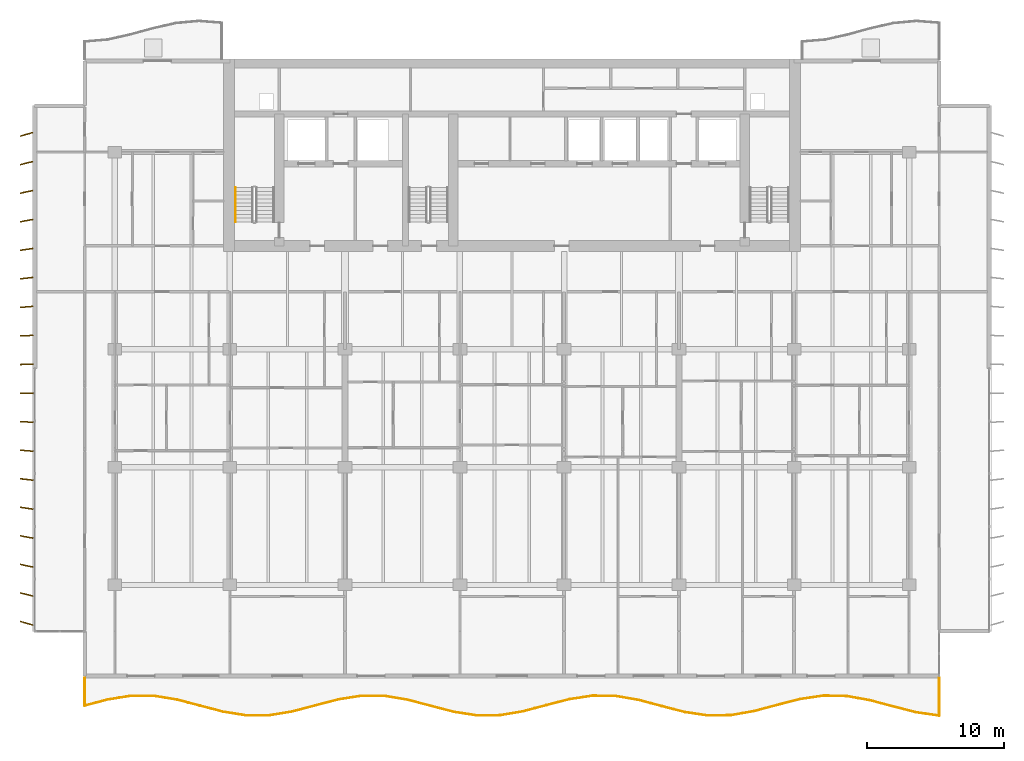
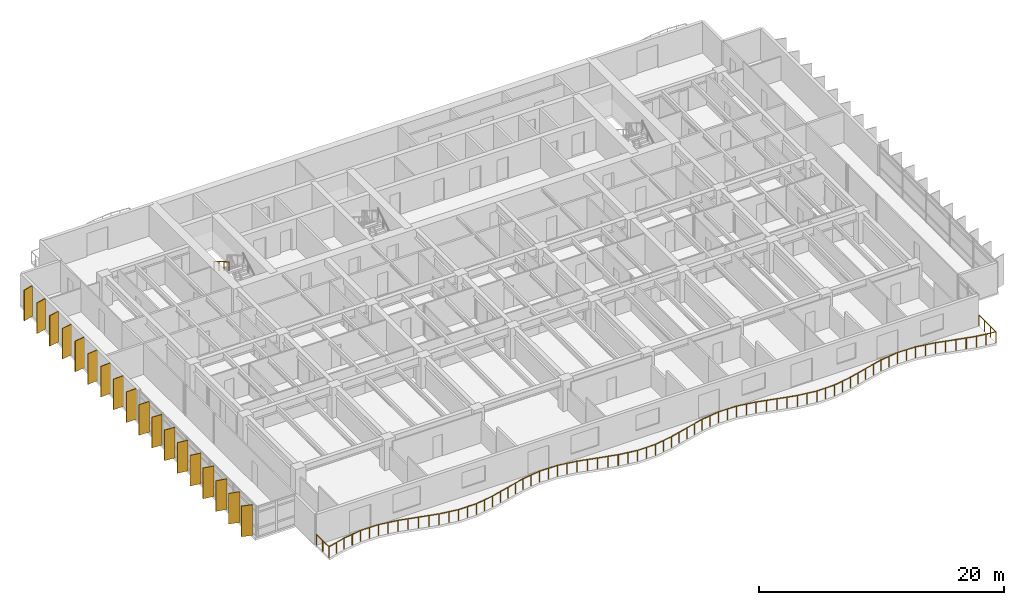
# One storey, part 17 of 20: 18 shading devices, 2 railings.
"""IFC4 building model written with IfcOpenShell, lengths in metres."""

from ifc_helpers import new_model, si_unit, direction, frame, origin, origin_2d, place, context, subcontext, project, spatial, rectangle, circle, extrude, material, material_profile, profile_set, type_object, element, save


model = new_model("IFC4")

# Units and contexts
model_context = context("Model", 3, precision=1e-05, world=origin(), true_north=direction((0.0, 1.0)))
body_context = subcontext(model_context, "Body", "Model", "MODEL_VIEW")
ifc_project = project(units=[si_unit("LENGTHUNIT", "METRE"), si_unit("AREAUNIT", "SQUARE_METRE"), si_unit("VOLUMEUNIT", "CUBIC_METRE"), si_unit("PLANEANGLEUNIT", "RADIAN"), si_unit("MASSUNIT", "GRAM", prefix="KILO")], contexts=[model_context])

# Site, building, storey
site_placement = place(None, origin())
site = spatial("IfcSite", under=ifc_project, at=site_placement, CompositionType="ELEMENT")
building_placement = place(site_placement, origin())
building = spatial("IfcBuilding", under=site, at=building_placement, Name="Caelmar Bay Residences", CompositionType="ELEMENT")
storey_placement = place(building_placement, frame((0.0, 0.0, 119.10009765625)))
storey = spatial("IfcBuildingStorey", under=building, at=storey_placement, Name="L32", CompositionType="ELEMENT", Elevation=119.10009765625)

# Railings
ifc_material_1 = material(Name="Anodised bronze handrail with laminated hurricane glass infill", Category="glass")
railing_type_1 = type_object("IfcRailingType", Name="RL-BAL-1100", PredefinedType="BALUSTRADE", material=ifc_material_1)
railing_1_placement = place(storey_placement, frame((7.699951171875, 5.39990234375, 0.0)))
element("IfcRailing", 1, at=railing_1_placement, inside=storey, type_object=railing_type_1, Name="L32 south Balcony Balustrade", PredefinedType="BALUSTRADE", context=body_context, shape_type="SweptSolid", body=[
    extrude(circle(Radius=0.02392578125, at=origin_2d()), frame((0.0, 0.0, 1.076171875), z_axis=(0.0, -1.0, 0.0), x_axis=(1.0, 0.0, 0.0)), (0.0, 0.0, 1.0), 2.02001953125),
    extrude(circle(Radius=0.02392578125, at=origin_2d()), frame((0.0, -2.02001953125, 1.076171875), z_axis=(0.967277371032, 0.253721279142, 0.0), x_axis=(-0.253721279142, 0.967277371032, 0.0)), (0.0, 0.0, 1.0), 1.74365234375),
    extrude(circle(Radius=0.02392578125, at=origin_2d()), frame((1.6865234375, -1.57763671875, 1.076171875), z_axis=(0.987222996916, 0.159344765715, 0.0), x_axis=(-0.159344765715, 0.987222996916, 0.0)), (0.0, 0.0, 1.0), 1.708251953125),
    extrude(circle(Radius=0.02392578125, at=origin_2d()), frame((3.373046875, -1.305419921875, 1.076171875), z_axis=(0.999998491217, -0.001737113766, 0.0), x_axis=(0.001737113766, 0.999998491217, 0.0)), (0.0, 0.0, 1.0), 1.6865234375),
    extrude(circle(Radius=0.02392578125, at=origin_2d()), frame((5.0595703125, -1.308349609375, 1.076171875), z_axis=(0.986811582077, -0.16187310301, 0.0), x_axis=(0.16187310301, 0.986811582077, 0.0)), (0.0, 0.0, 1.0), 1.708740234375),
    extrude(circle(Radius=0.02392578125, at=origin_2d()), frame((6.745849609375, -1.5849609375, 1.076171875), z_axis=(0.967036446825, -0.254637998954, 0.0), x_axis=(0.254637998954, 0.967036446825, 0.0)), (0.0, 0.0, 1.0), 1.743896484375),
    extrude(circle(Radius=0.02392578125, at=origin_2d()), frame((8.432373046875, -2.029052734375, 1.076171875), z_axis=(0.967551794739, -0.252672761684, 0.0), x_axis=(0.252672761684, 0.967551794739, 0.0)), (0.0, 0.0, 1.0), 1.7431640625),
    extrude(circle(Radius=0.02392578125, at=origin_2d()), frame((10.118896484375, -2.469482421875, 1.076171875), z_axis=(0.987646769685, -0.156696708103, 0.0), x_axis=(0.156696708103, 0.987646769685, 0.0)), (0.0, 0.0, 1.0), 1.70751953125),
    extrude(circle(Radius=0.02392578125, at=origin_2d()), frame((11.805419921875, -2.737060546875, 1.076171875), z_axis=(0.999987165083, 0.005066524432, 0.0), x_axis=(-0.005066524432, 0.999987165083, 0.0)), (0.0, 0.0, 1.0), 1.6865234375),
    extrude(circle(Radius=0.02392578125, at=origin_2d()), frame((13.491943359375, -2.728515625, 1.076171875), z_axis=(0.986401641189, 0.164352676463, 0.0), x_axis=(-0.164352676463, 0.986401641189, 0.0)), (0.0, 0.0, 1.0), 1.709716796875),
    extrude(circle(Radius=0.02392578125, at=origin_2d()), frame((15.178466796875, -2.447509765625, 1.076171875), z_axis=(0.966794774667, 0.255554032794, 0.0), x_axis=(-0.255554032794, 0.966794774667, 0.0)), (0.0, 0.0, 1.0), 1.744384765625),
    extrude(circle(Radius=0.02392578125, at=origin_2d()), frame((16.864990234375, -2.001708984375, 1.076171875), z_axis=(0.967791109938, 0.251754577962, 0.0), x_axis=(-0.251754577962, 0.967791109938, 0.0)), (0.0, 0.0, 1.0), 1.74267578125),
    extrude(circle(Radius=0.02392578125, at=origin_2d()), frame((18.551513671875, -1.56298828125, 1.076171875), z_axis=(0.988082163557, 0.153927379179, 0.0), x_axis=(-0.153927379179, 0.988082163557, 0.0)), (0.0, 0.0, 1.0), 1.70654296875),
    extrude(circle(Radius=0.02392578125, at=origin_2d()), frame((20.23779296875, -1.30029296875, 1.076171875), z_axis=(0.999965959739, -0.008251021961, 0.0), x_axis=(0.008251021961, 0.999965959739, 0.0)), (0.0, 0.0, 1.0), 1.6865234375),
    extrude(circle(Radius=0.02392578125, at=origin_2d()), frame((21.92431640625, -1.314208984375, 1.076171875), z_axis=(0.985958479003, -0.166990651481, 0.0), x_axis=(0.166990651481, 0.985958479003, 0.0)), (0.0, 0.0, 1.0), 1.71044921875),
    extrude(circle(Radius=0.02392578125, at=origin_2d()), frame((23.61083984375, -1.599853515625, 1.076171875), z_axis=(0.966587033204, -0.256338657329, 0.0), x_axis=(0.256338657329, 0.966587033204, 0.0)), (0.0, 0.0, 1.0), 1.744873046875),
    extrude(circle(Radius=0.02392578125, at=origin_2d()), frame((25.29736328125, -2.047119140625, 1.076171875), z_axis=(0.968063689917, -0.250704392192, 0.0), x_axis=(0.250704392192, 0.968063689917, 0.0)), (0.0, 0.0, 1.0), 1.7421875),
    extrude(circle(Radius=0.02392578125, at=origin_2d()), frame((26.98388671875, -2.48388671875, 1.076171875), z_axis=(0.988474035302, -0.151390493536, 0.0), x_axis=(0.151390493536, 0.988474035302, 0.0)), (0.0, 0.0, 1.0), 1.706298828125),
    extrude(circle(Radius=0.02392578125, at=origin_2d()), frame((28.67041015625, -2.7421875, 1.076171875), z_axis=(0.999931262995, 0.011724729633, 0.0), x_axis=(-0.011724729633, 0.999931262995, 0.0)), (0.0, 0.0, 1.0), 1.6865234375),
    extrude(circle(Radius=0.02392578125, at=origin_2d()), frame((30.35693359375, -2.722412109375, 1.076171875), z_axis=(0.985528412921, 0.169510316281, 0.0), x_axis=(-0.169510316281, 0.985528412921, 0.0)), (0.0, 0.0, 1.0), 1.7109375),
    extrude(circle(Radius=0.02392578125, at=origin_2d()), frame((32.043212890625, -2.432373046875, 1.076171875), z_axis=(0.966343976933, 0.257253412504, 0.0), x_axis=(-0.257253412504, 0.966343976933, 0.0)), (0.0, 0.0, 1.0), 1.745361328125),
    extrude(circle(Radius=0.02392578125, at=origin_2d()), frame((33.729736328125, -1.9833984375, 1.076171875), z_axis=(0.968335282607, 0.249653320545, 0.0), x_axis=(-0.249653320545, 0.968335282607, 0.0)), (0.0, 0.0, 1.0), 1.74169921875),
    extrude(circle(Radius=0.02392578125, at=origin_2d()), frame((35.416259765625, -1.548583984375, 1.076171875), z_axis=(0.988919545857, 0.148452456435, 0.0), x_axis=(-0.148452456435, 0.988919545857, 0.0)), (0.0, 0.0, 1.0), 1.705322265625),
    extrude(circle(Radius=0.02392578125, at=origin_2d()), frame((37.102783203125, -1.29541015625, 1.076171875), z_axis=(0.999888860768, -0.014908591873, 0.0), x_axis=(0.014908591873, 0.999888860768, 0.0)), (0.0, 0.0, 1.0), 1.686767578125),
    extrude(circle(Radius=0.02392578125, at=origin_2d()), frame((38.789306640625, -1.320556640625, 1.076171875), z_axis=(0.985100605881, -0.171979057715, 0.0), x_axis=(0.171979057715, 0.985100605881, 0.0)), (0.0, 0.0, 1.0), 1.7119140625),
    extrude(circle(Radius=0.02392578125, at=origin_2d()), frame((40.475830078125, -1.614990234375, 1.076171875), z_axis=(0.966135051847, -0.258036938428, 0.0), x_axis=(0.258036938428, 0.966135051847, 0.0)), (0.0, 0.0, 1.0), 1.74560546875),
    extrude(circle(Radius=0.02392578125, at=origin_2d()), frame((42.162353515625, -2.0654296875, 1.076171875), z_axis=(0.968630982277, -0.24850356169, 0.0), x_axis=(0.24850356169, 0.968630982277, 0.0)), (0.0, 0.0, 1.0), 1.740966796875),
    extrude(circle(Radius=0.02392578125, at=origin_2d()), frame((43.8486328125, -2.498046875, 1.076171875), z_axis=(0.989294770165, -0.1459310033, 0.0), x_axis=(0.1459310033, 0.989294770165, 0.0)), (0.0, 0.0, 1.0), 1.704833984375),
    extrude(circle(Radius=0.02392578125, at=origin_2d()), frame((45.53515625, -2.746826171875, 1.076171875), z_axis=(0.999831048242, 0.01838137567, 0.0), x_axis=(-0.01838137567, 0.999831048242, 0.0)), (0.0, 0.0, 1.0), 1.686767578125),
    extrude(circle(Radius=0.02392578125, at=origin_2d()), frame((47.2216796875, -2.7158203125, 1.076171875), z_axis=(0.984662785192, 0.174468333682, 0.0), x_axis=(-0.174468333682, 0.984662785192, 0.0)), (0.0, 0.0, 1.0), 1.712890625),
    extrude(circle(Radius=0.02392578125, at=origin_2d()), frame((48.908203125, -2.4169921875, 1.076171875), z_axis=(0.965960531679, 0.258689488073, 0.0), x_axis=(-0.258689488073, 0.965960531679, 0.0)), (0.0, 0.0, 1.0), 1.745849609375),
    extrude(circle(Radius=0.02392578125, at=origin_2d()), frame((50.5947265625, -1.96533203125, 1.076171875), z_axis=(0.968909126405, 0.247416864357, 0.0), x_axis=(-0.247416864357, 0.968909126405, 0.0)), (0.0, 0.0, 1.0), 1.74072265625),
    extrude(circle(Radius=0.02392578125, at=origin_2d()), frame((52.28125, -1.53466796875, 1.076171875), z_axis=(0.989701532203, 0.143146348729, 0.0), x_axis=(-0.143146348729, 0.989701532203, 0.0)), (0.0, 0.0, 1.0), 1.703857421875),
    extrude(circle(Radius=0.02392578125, at=origin_2d()), frame((53.967529296875, -1.290771484375, 1.076171875), z_axis=(0.999764335416, -0.021708837625, 0.0), x_axis=(0.021708837625, 0.999764335416, 0.0)), (0.0, 0.0, 1.0), 1.68701171875),
    extrude(circle(Radius=0.02392578125, at=origin_2d()), frame((55.654052734375, -1.327392578125, 1.076171875), z_axis=(0.984219074529, -0.176954269045, 0.0), x_axis=(0.176954269045, 0.984219074529, 0.0)), (0.0, 0.0, 1.0), 1.713623046875),
    extrude(circle(Radius=0.02392578125, at=origin_2d()), frame((57.340576171875, -1.630615234375, 1.076171875), z_axis=(0.965785634121, -0.259341683743, 0.0), x_axis=(0.259341683743, 0.965785634121, 0.0)), (0.0, 0.0, 1.0), 1.746337890625),
    extrude(circle(Radius=0.02392578125, at=origin_2d()), frame((59.027099609375, -2.08349609375, 1.076171875), z_axis=(0.969211107157, -0.246231252614, 0.0), x_axis=(0.246231252614, 0.969211107157, 0.0)), (0.0, 0.0, 1.0), 1.739990234375),
    extrude(circle(Radius=0.02392578125, at=origin_2d()), frame((60.713623046875, -2.511962890625, 1.076171875), z_axis=(0.990086616786, -0.14045814772, 0.0), x_axis=(0.14045814772, 0.990086616786, 0.0)), (0.0, 0.0, 1.0), 1.703369140625),
    extrude(circle(Radius=0.02392578125, at=origin_2d()), frame((62.400146484375, -2.751220703125, 1.076171875), z_axis=(0.0, 1.0, 0.0), x_axis=(-1.0, 0.0, 0.0)), (0.0, 0.0, 1.0), 2.751220703125),
    extrude(circle(Radius=0.02099609375, at=origin_2d()), origin(), (0.0, 0.0, 1.0), 1.052001953125),
    extrude(circle(Radius=0.02099609375, at=origin_2d()), frame((0.0, -1.010009765625, 0.0)), (0.0, 0.0, 1.0), 1.052001953125),
    extrude(circle(Radius=0.02099609375, at=origin_2d()), frame((0.0, -2.02001953125, 0.0)), (0.0, 0.0, 1.0), 1.052001953125),
    extrude(circle(Radius=0.02099609375, at=origin_2d()), frame((0.84326171875, -1.798828125, 0.0)), (0.0, 0.0, 1.0), 1.052001953125),
    extrude(circle(Radius=0.02099609375, at=origin_2d()), frame((1.6865234375, -1.57763671875, 0.0)), (0.0, 0.0, 1.0), 1.052001953125),
    extrude(circle(Radius=0.02099609375, at=origin_2d()), frame((2.52978515625, -1.44140625, 0.0)), (0.0, 0.0, 1.0), 1.052001953125),
    extrude(circle(Radius=0.02099609375, at=origin_2d()), frame((3.373046875, -1.305419921875, 0.0)), (0.0, 0.0, 1.0), 1.052001953125),
    extrude(circle(Radius=0.02099609375, at=origin_2d()), frame((4.21630859375, -1.306884765625, 0.0)), (0.0, 0.0, 1.0), 1.052001953125),
    extrude(circle(Radius=0.02099609375, at=origin_2d()), frame((5.0595703125, -1.308349609375, 0.0)), (0.0, 0.0, 1.0), 1.052001953125),
    extrude(circle(Radius=0.02099609375, at=origin_2d()), frame((5.90283203125, -1.44677734375, 0.0)), (0.0, 0.0, 1.0), 1.052001953125),
    extrude(circle(Radius=0.02099609375, at=origin_2d()), frame((6.745849609375, -1.5849609375, 0.0)), (0.0, 0.0, 1.0), 1.052001953125),
    extrude(circle(Radius=0.02099609375, at=origin_2d()), frame((7.589111328125, -1.80712890625, 0.0)), (0.0, 0.0, 1.0), 1.052001953125),
    extrude(circle(Radius=0.02099609375, at=origin_2d()), frame((8.432373046875, -2.029052734375, 0.0)), (0.0, 0.0, 1.0), 1.052001953125),
    extrude(circle(Radius=0.02099609375, at=origin_2d()), frame((9.275634765625, -2.249267578125, 0.0)), (0.0, 0.0, 1.0), 1.052001953125),
    extrude(circle(Radius=0.02099609375, at=origin_2d()), frame((10.118896484375, -2.469482421875, 0.0)), (0.0, 0.0, 1.0), 1.052001953125),
    extrude(circle(Radius=0.02099609375, at=origin_2d()), frame((10.962158203125, -2.603271484375, 0.0)), (0.0, 0.0, 1.0), 1.052001953125),
    extrude(circle(Radius=0.02099609375, at=origin_2d()), frame((11.805419921875, -2.737060546875, 0.0)), (0.0, 0.0, 1.0), 1.052001953125),
    extrude(circle(Radius=0.02099609375, at=origin_2d()), frame((12.648681640625, -2.73291015625, 0.0)), (0.0, 0.0, 1.0), 1.052001953125),
    extrude(circle(Radius=0.02099609375, at=origin_2d()), frame((13.491943359375, -2.728515625, 0.0)), (0.0, 0.0, 1.0), 1.052001953125),
    extrude(circle(Radius=0.02099609375, at=origin_2d()), frame((14.335205078125, -2.587890625, 0.0)), (0.0, 0.0, 1.0), 1.052001953125),
    extrude(circle(Radius=0.02099609375, at=origin_2d()), frame((15.178466796875, -2.447509765625, 0.0)), (0.0, 0.0, 1.0), 1.052001953125),
    extrude(circle(Radius=0.02099609375, at=origin_2d()), frame((16.021728515625, -2.224609375, 0.0)), (0.0, 0.0, 1.0), 1.052001953125),
    extrude(circle(Radius=0.02099609375, at=origin_2d()), frame((16.864990234375, -2.001708984375, 0.0)), (0.0, 0.0, 1.0), 1.052001953125),
    extrude(circle(Radius=0.02099609375, at=origin_2d()), frame((17.708251953125, -1.7822265625, 0.0)), (0.0, 0.0, 1.0), 1.052001953125),
    extrude(circle(Radius=0.02099609375, at=origin_2d()), frame((18.551513671875, -1.56298828125, 0.0)), (0.0, 0.0, 1.0), 1.052001953125),
    extrude(circle(Radius=0.02099609375, at=origin_2d()), frame((19.39453125, -1.431640625, 0.0)), (0.0, 0.0, 1.0), 1.052001953125),
    extrude(circle(Radius=0.02099609375, at=origin_2d()), frame((20.23779296875, -1.30029296875, 0.0)), (0.0, 0.0, 1.0), 1.052001953125),
    extrude(circle(Radius=0.02099609375, at=origin_2d()), frame((21.0810546875, -1.30712890625, 0.0)), (0.0, 0.0, 1.0), 1.052001953125),
    extrude(circle(Radius=0.02099609375, at=origin_2d()), frame((21.92431640625, -1.314208984375, 0.0)), (0.0, 0.0, 1.0), 1.052001953125),
    extrude(circle(Radius=0.02099609375, at=origin_2d()), frame((22.767578125, -1.45703125, 0.0)), (0.0, 0.0, 1.0), 1.052001953125),
    extrude(circle(Radius=0.02099609375, at=origin_2d()), frame((23.61083984375, -1.599853515625, 0.0)), (0.0, 0.0, 1.0), 1.052001953125),
    extrude(circle(Radius=0.02099609375, at=origin_2d()), frame((24.4541015625, -1.823486328125, 0.0)), (0.0, 0.0, 1.0), 1.052001953125),
    extrude(circle(Radius=0.02099609375, at=origin_2d()), frame((25.29736328125, -2.047119140625, 0.0)), (0.0, 0.0, 1.0), 1.052001953125),
    extrude(circle(Radius=0.02099609375, at=origin_2d()), frame((26.140625, -2.265625, 0.0)), (0.0, 0.0, 1.0), 1.052001953125),
    extrude(circle(Radius=0.02099609375, at=origin_2d()), frame((26.98388671875, -2.48388671875, 0.0)), (0.0, 0.0, 1.0), 1.052001953125),
    extrude(circle(Radius=0.02099609375, at=origin_2d()), frame((27.8271484375, -2.613037109375, 0.0)), (0.0, 0.0, 1.0), 1.052001953125),
    extrude(circle(Radius=0.02099609375, at=origin_2d()), frame((28.67041015625, -2.7421875, 0.0)), (0.0, 0.0, 1.0), 1.052001953125),
    extrude(circle(Radius=0.02099609375, at=origin_2d()), frame((29.513671875, -2.732421875, 0.0)), (0.0, 0.0, 1.0), 1.052001953125),
    extrude(circle(Radius=0.02099609375, at=origin_2d()), frame((30.35693359375, -2.722412109375, 0.0)), (0.0, 0.0, 1.0), 1.052001953125),
    extrude(circle(Radius=0.02099609375, at=origin_2d()), frame((31.2001953125, -2.577392578125, 0.0)), (0.0, 0.0, 1.0), 1.052001953125),
    extrude(circle(Radius=0.02099609375, at=origin_2d()), frame((32.043212890625, -2.432373046875, 0.0)), (0.0, 0.0, 1.0), 1.052001953125),
    extrude(circle(Radius=0.02099609375, at=origin_2d()), frame((32.886474609375, -2.2080078125, 0.0)), (0.0, 0.0, 1.0), 1.052001953125),
    extrude(circle(Radius=0.02099609375, at=origin_2d()), frame((33.729736328125, -1.9833984375, 0.0)), (0.0, 0.0, 1.0), 1.052001953125),
    extrude(circle(Radius=0.02099609375, at=origin_2d()), frame((34.572998046875, -1.76611328125, 0.0)), (0.0, 0.0, 1.0), 1.052001953125),
    extrude(circle(Radius=0.02099609375, at=origin_2d()), frame((35.416259765625, -1.548583984375, 0.0)), (0.0, 0.0, 1.0), 1.052001953125),
    extrude(circle(Radius=0.02099609375, at=origin_2d()), frame((36.259521484375, -1.421875, 0.0)), (0.0, 0.0, 1.0), 1.052001953125),
    extrude(circle(Radius=0.02099609375, at=origin_2d()), frame((37.102783203125, -1.29541015625, 0.0)), (0.0, 0.0, 1.0), 1.052001953125),
    extrude(circle(Radius=0.02099609375, at=origin_2d()), frame((37.946044921875, -1.30810546875, 0.0)), (0.0, 0.0, 1.0), 1.052001953125),
    extrude(circle(Radius=0.02099609375, at=origin_2d()), frame((38.789306640625, -1.320556640625, 0.0)), (0.0, 0.0, 1.0), 1.052001953125),
    extrude(circle(Radius=0.02099609375, at=origin_2d()), frame((39.632568359375, -1.4677734375, 0.0)), (0.0, 0.0, 1.0), 1.052001953125),
    extrude(circle(Radius=0.02099609375, at=origin_2d()), frame((40.475830078125, -1.614990234375, 0.0)), (0.0, 0.0, 1.0), 1.052001953125),
    extrude(circle(Radius=0.02099609375, at=origin_2d()), frame((41.319091796875, -1.84033203125, 0.0)), (0.0, 0.0, 1.0), 1.052001953125),
    extrude(circle(Radius=0.02099609375, at=origin_2d()), frame((42.162353515625, -2.0654296875, 0.0)), (0.0, 0.0, 1.0), 1.052001953125),
    extrude(circle(Radius=0.02099609375, at=origin_2d()), frame((43.00537109375, -2.28173828125, 0.0)), (0.0, 0.0, 1.0), 1.052001953125),
    extrude(circle(Radius=0.02099609375, at=origin_2d()), frame((43.8486328125, -2.498046875, 0.0)), (0.0, 0.0, 1.0), 1.052001953125),
    extrude(circle(Radius=0.02099609375, at=origin_2d()), frame((44.69189453125, -2.62255859375, 0.0)), (0.0, 0.0, 1.0), 1.052001953125),
    extrude(circle(Radius=0.02099609375, at=origin_2d()), frame((45.53515625, -2.746826171875, 0.0)), (0.0, 0.0, 1.0), 1.052001953125),
    extrude(circle(Radius=0.02099609375, at=origin_2d()), frame((46.37841796875, -2.7314453125, 0.0)), (0.0, 0.0, 1.0), 1.052001953125),
    extrude(circle(Radius=0.02099609375, at=origin_2d()), frame((47.2216796875, -2.7158203125, 0.0)), (0.0, 0.0, 1.0), 1.052001953125),
    extrude(circle(Radius=0.02099609375, at=origin_2d()), frame((48.06494140625, -2.56640625, 0.0)), (0.0, 0.0, 1.0), 1.052001953125),
    extrude(circle(Radius=0.02099609375, at=origin_2d()), frame((48.908203125, -2.4169921875, 0.0)), (0.0, 0.0, 1.0), 1.052001953125),
    extrude(circle(Radius=0.02099609375, at=origin_2d()), frame((49.75146484375, -2.191162109375, 0.0)), (0.0, 0.0, 1.0), 1.052001953125),
    extrude(circle(Radius=0.02099609375, at=origin_2d()), frame((50.5947265625, -1.96533203125, 0.0)), (0.0, 0.0, 1.0), 1.052001953125),
    extrude(circle(Radius=0.02099609375, at=origin_2d()), frame((51.43798828125, -1.75, 0.0)), (0.0, 0.0, 1.0), 1.052001953125),
    extrude(circle(Radius=0.02099609375, at=origin_2d()), frame((52.28125, -1.53466796875, 0.0)), (0.0, 0.0, 1.0), 1.052001953125),
    extrude(circle(Radius=0.02099609375, at=origin_2d()), frame((53.12451171875, -1.41259765625, 0.0)), (0.0, 0.0, 1.0), 1.052001953125),
    extrude(circle(Radius=0.02099609375, at=origin_2d()), frame((53.967529296875, -1.290771484375, 0.0)), (0.0, 0.0, 1.0), 1.052001953125),
    extrude(circle(Radius=0.02099609375, at=origin_2d()), frame((54.810791015625, -1.30908203125, 0.0)), (0.0, 0.0, 1.0), 1.052001953125),
    extrude(circle(Radius=0.02099609375, at=origin_2d()), frame((55.654052734375, -1.327392578125, 0.0)), (0.0, 0.0, 1.0), 1.052001953125),
    extrude(circle(Radius=0.02099609375, at=origin_2d()), frame((56.497314453125, -1.47900390625, 0.0)), (0.0, 0.0, 1.0), 1.052001953125),
    extrude(circle(Radius=0.02099609375, at=origin_2d()), frame((57.340576171875, -1.630615234375, 0.0)), (0.0, 0.0, 1.0), 1.052001953125),
    extrude(circle(Radius=0.02099609375, at=origin_2d()), frame((58.183837890625, -1.85693359375, 0.0)), (0.0, 0.0, 1.0), 1.052001953125),
    extrude(circle(Radius=0.02099609375, at=origin_2d()), frame((59.027099609375, -2.08349609375, 0.0)), (0.0, 0.0, 1.0), 1.052001953125),
    extrude(circle(Radius=0.02099609375, at=origin_2d()), frame((59.870361328125, -2.2978515625, 0.0)), (0.0, 0.0, 1.0), 1.052001953125),
    extrude(circle(Radius=0.02099609375, at=origin_2d()), frame((60.713623046875, -2.511962890625, 0.0)), (0.0, 0.0, 1.0), 1.052001953125),
    extrude(circle(Radius=0.02099609375, at=origin_2d()), frame((61.556884765625, -2.631591796875, 0.0)), (0.0, 0.0, 1.0), 1.052001953125),
    extrude(circle(Radius=0.02099609375, at=origin_2d()), frame((62.400146484375, -2.751220703125, 0.0)), (0.0, 0.0, 1.0), 1.052001953125),
    extrude(circle(Radius=0.02099609375, at=origin_2d()), frame((62.400146484375, -1.834228515625, 0.0)), (0.0, 0.0, 1.0), 1.052001953125),
    extrude(circle(Radius=0.02099609375, at=origin_2d()), frame((62.400146484375, -0.9169921875, 0.0)), (0.0, 0.0, 1.0), 1.052001953125),
    extrude(circle(Radius=0.02099609375, at=origin_2d()), frame((62.400146484375, 0.0, 0.0)), (0.0, 0.0, 1.0), 1.052001953125),
])
ifc_material_2 = material(Name="Brushed bronze stainless-steel tubular handrail 900 mm", Category="steel")
railing_type_2 = type_object("IfcRailingType", Name="RL-HND-900", PredefinedType="HANDRAIL", material=ifc_material_2)
railing_2_placement = place(storey_placement, frame((18.699951171875, 41.219970703125, 1.81494140625)))
element("IfcRailing", 2, at=railing_2_placement, inside=storey, type_object=railing_type_2, Name="L32 ST1 stair handrail 2", PredefinedType="HANDRAIL", context=body_context, shape_type="SweptSolid", body=[
    extrude(circle(Radius=0.02392578125, at=origin_2d()), frame((0.0, 0.0, 0.8759765625), z_axis=(0.0, -0.861560626758, 0.507654692109), x_axis=(1.0, 0.0, 0.0)), (0.0, 0.0, 1.0), 2.925048828125),
    extrude(circle(Radius=0.02099609375, at=origin_2d()), origin(), (0.0, 0.0, 1.0), 0.851806640625),
    extrude(circle(Radius=0.02099609375, at=origin_2d()), frame((0.0, -0.840087890625, 0.494873046875)), (0.0, 0.0, 1.0), 0.851806640625),
    extrude(circle(Radius=0.02099609375, at=origin_2d()), frame((0.0, -1.679931640625, 0.989990234375)), (0.0, 0.0, 1.0), 0.851806640625),
    extrude(circle(Radius=0.02099609375, at=origin_2d()), frame((0.0, -2.52001953125, 1.48486328125)), (0.0, 0.0, 1.0), 0.851806640625),
])

# Shading devices
ifc_material_3 = material(Name="Anodised architectural bronze aluminium 6063-T6", Category="aluminium")
ifc_material_profile = material_profile(ifc_material_3, rectangle(XDim=0.074951171875, YDim=0.949951171875, at=origin_2d()), Name="BRONZE-FIN-75X950")
ifc_profile_set = profile_set([ifc_material_profile], Name="Anodised architectural bronze aluminium 6063-T6")
shading_device_type = type_object("IfcShadingDeviceType", Name="SHD-FIN-950", PredefinedType="USERDEFINED", material=ifc_profile_set)
for number, where, z_axis, x_axis, name in (
    (3, (3.449951171875, 9.39990234375, 0.0), (0.0, 0.0, 1.0), (0.275637355817, 0.961261695938, 0.0), "L32 West Bronze Solar Fin 1"),
    (4, (3.449951171875, 11.5, 0.0), (0.0, 0.0, 1.0), (0.243953546137, 0.969786918517, 0.0), "L32 West Bronze Solar Fin 2"),
    (5, (3.449951171875, 13.60009765625, 0.0), (0.0, 0.0, 1.0), (0.212007109922, 0.977268123568, 0.0), "L32 West Bronze Solar Fin 3"),
    (6, (3.449951171875, 15.699951171875, 0.0), (0.0, 0.0, 1.0), (0.179660748593, 0.98372862895, 0.0), "L32 West Bronze Solar Fin 4"),
    (7, (3.449951171875, 17.800048828125, 0.0), (0.0, 0.0, 1.0), (0.147291543397, 0.989093120613, 0.0), "L32 West Bronze Solar Fin 5"),
    (8, (3.449951171875, 19.89990234375, 0.0), (0.0, 0.0, 1.0), (0.114763772489, 0.993392810787, 0.0), "L32 West Bronze Solar Fin 6"),
    (9, (3.449951171875, 22.0, 0.0), (0.0, 0.0, 1.0), (0.08211245342, 0.996623070671, 0.0), "L32 West Bronze Solar Fin 7"),
    (10, (3.449951171875, 24.10009765625, 0.0), (0.0, 0.0, 1.0), (0.049198415926, 0.998789024705, 0.0), "L32 West Bronze Solar Fin 8"),
    (11, (3.449951171875, 26.199951171875, 0.0), (0.0, 0.0, 1.0), (0.016405359001, 0.999865423043, 0.0), "L32 West Bronze Solar Fin 9"),
    (12, (3.449951171875, 28.300048828125, 0.0), (0.0, 0.0, 1.0), (-0.016405359001, 0.999865423043, 0.0), "L32 West Bronze Solar Fin 10"),
    (13, (3.449951171875, 30.39990234375, 0.0), (0.0, 0.0, 1.0), (-0.049198415926, 0.998789024705, 0.0), "L32 West Bronze Solar Fin 11"),
    (14, (3.449951171875, 32.5, 0.0), (0.0, 0.0, 1.0), (-0.08211245342, 0.996623070671, 0.0), "L32 West Bronze Solar Fin 12"),
    (15, (3.449951171875, 34.60009765625, 0.0), (0.0, 0.0, 1.0), (-0.114763772489, 0.993392810787, 0.0), "L32 West Bronze Solar Fin 13"),
    (16, (3.449951171875, 36.699951171875, 0.0), (0.0, 0.0, 1.0), (-0.147291543397, 0.989093120613, 0.0), "L32 West Bronze Solar Fin 14"),
    (17, (3.449951171875, 38.800048828125, 0.0), (0.0, 0.0, 1.0), (-0.179660748593, 0.98372862895, 0.0), "L32 West Bronze Solar Fin 15"),
    (18, (3.449951171875, 40.89990234375, 0.0), (0.0, 0.0, 1.0), (-0.212007109922, 0.977268123568, 0.0), "L32 West Bronze Solar Fin 16"),
    (19, (3.449951171875, 43.0, 0.0), (0.0, 0.0, 1.0), (-0.243953546137, 0.969786918517, 0.0), "L32 West Bronze Solar Fin 17"),
    (20, (3.449951171875, 45.10009765625, 0.0), (0.0, 0.0, 1.0), (-0.275637355817, 0.961261695938, 0.0), "L32 West Bronze Solar Fin 18"),
):
    element("IfcShadingDevice", number, at=place(storey_placement, frame(where, z_axis=z_axis, x_axis=x_axis)), inside=storey, type_object=shading_device_type, Name=name, ObjectType="FIN", PredefinedType="USERDEFINED", context=body_context, shape_type="SweptSolid", body=[
        extrude(rectangle(XDim=0.074951171875, YDim=0.949951171875, at=origin_2d()), origin(), (0.0, 0.0, 1.0), 3.0498046875),
    ])

save(model, "model.ifc")
